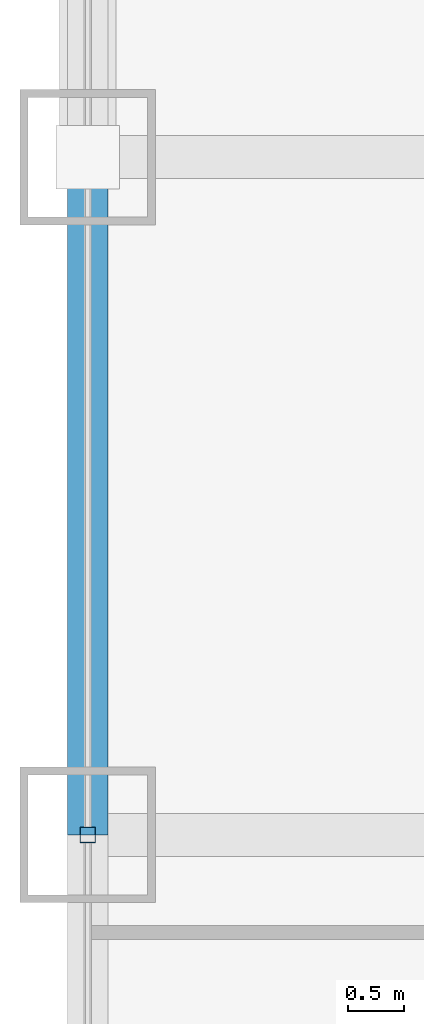
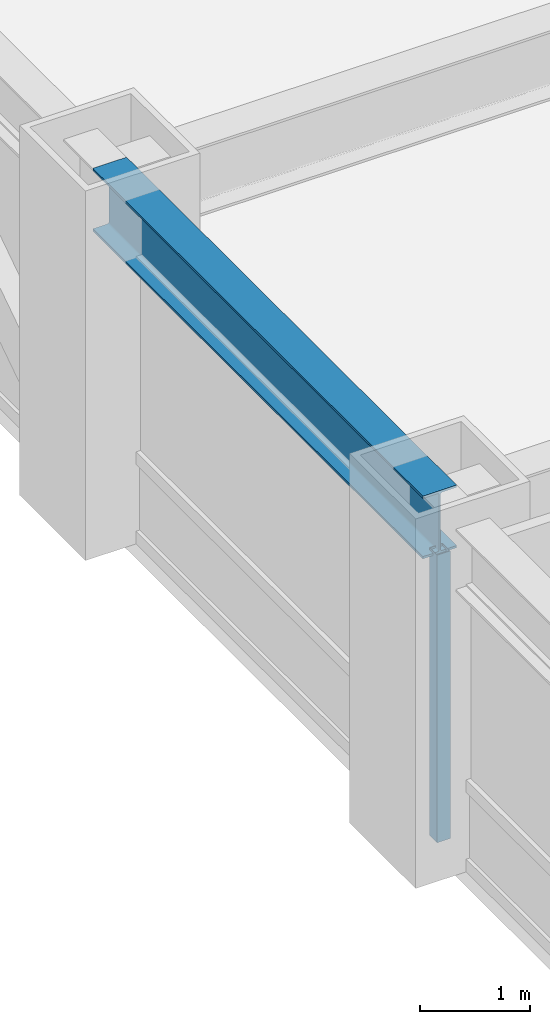
# One storey, part 8 of 27: 1 beam, 1 member, 1 element without a shape of its own.
"""IFC4 building model written with IfcOpenShell, lengths in metres."""

from ifc_helpers import new_model, si_unit, direction, frame, origin, origin_2d, place, context, subcontext, project, spatial, hollow_rectangle, i_section, extrude, source, transform, mapped, material, material_profile, profile_set, type_object, element, aggregate, save


model = new_model("IFC4")

# Units and contexts
model_context = context("Model", 3, precision=1e-05, world=origin(), true_north=direction((0.0, 1.0)))
body_context = subcontext(model_context, "Body", "Model", "MODEL_VIEW")
ifc_project = project(units=[si_unit("LENGTHUNIT", "METRE"), si_unit("AREAUNIT", "SQUARE_METRE"), si_unit("VOLUMEUNIT", "CUBIC_METRE"), si_unit("PLANEANGLEUNIT", "RADIAN"), si_unit("MASSUNIT", "GRAM", prefix="KILO")], contexts=[model_context])

# Site, building, storey
site_placement = place(None, origin())
site = spatial("IfcSite", under=ifc_project, at=site_placement, CompositionType="ELEMENT")
building_placement = place(site_placement, origin())
building = spatial("IfcBuilding", under=site, at=building_placement, Name="Khorayat Bourse Tower", CompositionType="ELEMENT")
storey_placement = place(building_placement, frame((0.0, 0.0, 111.89990234375)))
storey = spatial("IfcBuildingStorey", under=building, at=storey_placement, Name="L25", CompositionType="ELEMENT", Elevation=111.89990234375)

# Beam
ifc_material_1 = material(Name="Steel ASTM A992 Grade 50", Category="steel")
ifc_material_profile_1 = material_profile(ifc_material_1, i_section(OverallWidth=0.35498046875, OverallDepth=0.695068359375, WebThickness=0.015380859375, FlangeThickness=0.02490234375, FilletRadius=0.01806640625, at=origin_2d()), Name="W690X217")
ifc_profile_set_1 = profile_set([ifc_material_profile_1], Name="Steel ASTM A992 Grade 50")
beam_type = type_object("IfcBeamType", Name="BM-SPAN-690", PredefinedType="SPANDREL", material=ifc_profile_set_1)
shared_shape_1 = source(origin(), body_context, "Body", "SweptSolid", [
    extrude(i_section(OverallWidth=0.35498046875, OverallDepth=0.695068359375, WebThickness=0.015380859375, FlangeThickness=0.02490234375, FilletRadius=0.01806640625, at=origin_2d()), origin(), (0.0, 0.0, 1.0), 6.0),
])
beam_placement = place(storey_placement, frame((-32.0, 0.0, 3.49267578125), z_axis=(0.0, 1.0, 0.0), x_axis=(-1.0, 0.0, 0.0)))
element("IfcBeam", 1, at=beam_placement, inside=storey, type_object=beam_type, Name="L25 BM-SPAN-690 BM-L25-SPN-057", PredefinedType="SPANDREL", context=body_context, shape_type="MappedRepresentation", body=[
    mapped(shared_shape_1, transform((0.0, 0.0, 0.0), scale=1.0)),
])

# Curtain wall, member
ifc_material_2 = material(Name="Aluminium EN AW-6063 T6", Category="aluminium")
curtain_wall_type = type_object("IfcCurtainWallType", Name="CW-SYS-02", PredefinedType="NOTDEFINED", material=ifc_material_2)
curtain_wall_placement = place(storey_placement, origin())
curtain_wall = element("IfcCurtainWall", 2, at=curtain_wall_placement, inside=storey, type_object=curtain_wall_type, Name="L25 Curtain Wall CW-L25-W1", PredefinedType="NOTDEFINED")
ifc_material_profile_2 = material_profile(ifc_material_2, hollow_rectangle(XDim=0.139892578125, YDim=0.139892578125, WallThickness=0.006103515625, at=origin_2d()), Name="ALU 140x140x6")
ifc_profile_set_2 = profile_set([ifc_material_profile_2], Name="Aluminium EN AW-6063 T6")
member_type = type_object("IfcMemberType", Name="CWM-VERT-140", PredefinedType="MULLION", material=ifc_profile_set_2)
shared_shape_2 = source(origin(), body_context, "Body", "SweptSolid", [
    extrude(hollow_rectangle(XDim=0.139892578125, YDim=0.139892578125, WallThickness=0.006103515625, at=origin_2d()), origin(), (0.0, 0.0, 1.0), 3.190185546875),
])
member_placement = place(storey_placement, frame((-32.0, 0.0, 0.0), z_axis=(0.0, 0.0, 1.0), x_axis=(-1.0, 0.0, 0.0)))
member = element("IfcMember", 3, at=member_placement, type_object=member_type, Name="CW-L25-W1 Vertical Mullion 2", PredefinedType="MULLION", context=body_context, shape_type="MappedRepresentation", body=[
    mapped(shared_shape_2, transform((0.0, 0.0, 0.0), scale=1.0)),
])
aggregate(curtain_wall, [member])

save(model, "model.ifc")
